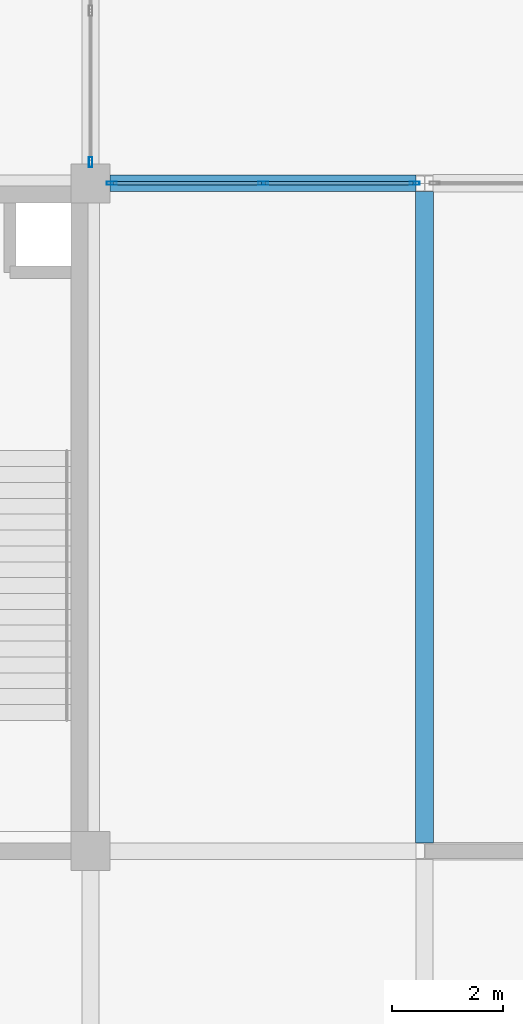
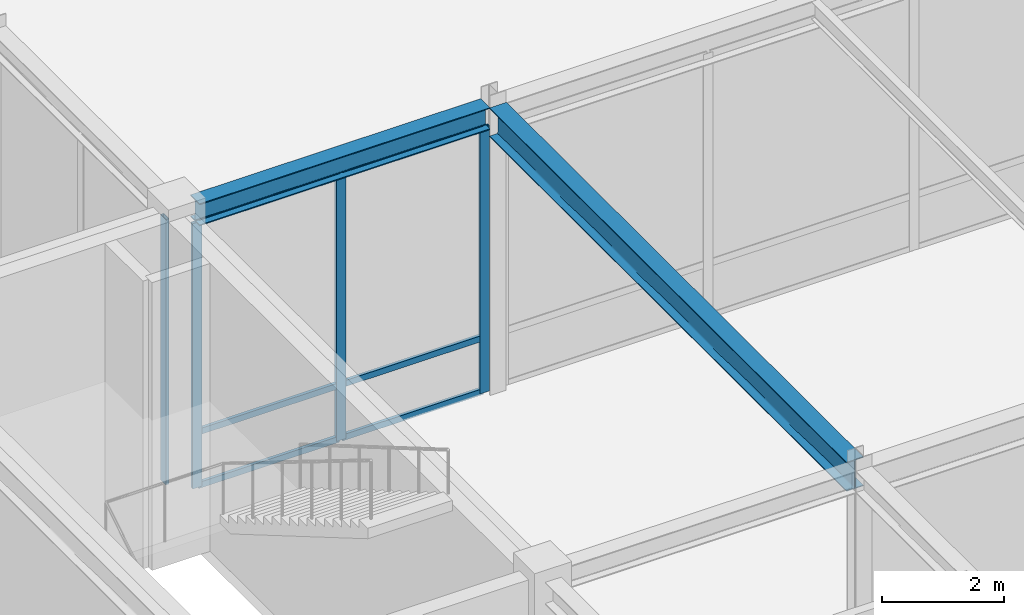
# One storey, part 29 of 108: 10 members, 2 beams, 2 elements without a shape of their own.
"""IFC4 building model written with IfcOpenShell, lengths in metres."""

from ifc_helpers import new_model, si_unit, direction, frame, origin, origin_2d, place, context, subcontext, project, spatial, hollow_rectangle, i_section, extrude, material, layer, layer_set, material_profile, profile_set, type_object, element, aggregate, save


model = new_model("IFC4")

# Units and contexts
model_context = context("Model", 3, precision=1e-05, world=origin(), true_north=direction((0.0, 1.0)))
body_context = subcontext(model_context, "Body", "Model", "MODEL_VIEW")
ifc_project = project(units=[si_unit("LENGTHUNIT", "METRE"), si_unit("AREAUNIT", "SQUARE_METRE"), si_unit("VOLUMEUNIT", "CUBIC_METRE"), si_unit("PLANEANGLEUNIT", "RADIAN"), si_unit("MASSUNIT", "GRAM", prefix="KILO")], contexts=[model_context])

# Site, building, storey
site_placement = place(None, origin())
site = spatial("IfcSite", under=ifc_project, at=site_placement, CompositionType="ELEMENT")
building_placement = place(site_placement, origin())
building = spatial("IfcBuilding", under=site, at=building_placement, Name="Zlatovratsky Civic Hall", CompositionType="ELEMENT")
storey_placement = place(building_placement, frame((0.0, 0.0, 6.0)))
storey = spatial("IfcBuildingStorey", under=building, at=storey_placement, Name="L02", CompositionType="ELEMENT", Elevation=6.0)

# Beams
ifc_material_1 = material(Name="Steel S355", Category="steel")
ifc_material_profile_1 = material_profile(ifc_material_1, i_section(OverallWidth=0.320068359375, OverallDepth=0.58203125, WebThickness=0.011962890625, FlangeThickness=0.01708984375, FilletRadius=0.02392578125, at=origin_2d()), Name="60Sh1")
ifc_profile_set_1 = profile_set([ifc_material_profile_1], Name="Steel S355")
beam_type_1 = type_object("IfcBeamType", Name="Beam_PodiumGirder_60Sh1", PredefinedType="BEAM", material=ifc_profile_set_1)
beam_1_placement = place(storey_placement, frame((24.0, 18.14990234375, 5.468994140625), z_axis=(0.0, 1.0, 0.0), x_axis=(-1.0, 0.0, 0.0)))
element("IfcBeam", 1, at=beam_1_placement, inside=storey, type_object=beam_type_1, Name="BM-2110", PredefinedType="BEAM", context=body_context, shape_type="SweptSolid", body=[
    extrude(i_section(OverallWidth=0.320068359375, OverallDepth=0.58203125, WebThickness=0.011962890625, FlangeThickness=0.01708984375, FilletRadius=0.02392578125, at=origin_2d()), origin(), (0.0, 0.0, 1.0), 11.7001953125),
])
ifc_material_profile_2 = material_profile(ifc_material_1, i_section(OverallWidth=0.300048828125, OverallDepth=0.43994140625, WebThickness=0.010986328125, FlangeThickness=0.01806640625, FilletRadius=0.02197265625, at=origin_2d()), Name="45Sh1")
ifc_profile_set_2 = profile_set([ifc_material_profile_2], Name="Steel S355")
beam_type_2 = type_object("IfcBeamType", Name="Beam_TowerLow_45Sh1", PredefinedType="BEAM", material=ifc_profile_set_2)
beam_2_placement = place(storey_placement, frame((18.35009765625, 30.0, 5.5400390625), z_axis=(1.0, 0.0, 0.0), x_axis=(0.0, 1.0, 0.0)))
element("IfcBeam", 2, at=beam_2_placement, inside=storey, type_object=beam_type_2, Name="BM-1785", PredefinedType="BEAM", context=body_context, shape_type="SweptSolid", body=[
    extrude(i_section(OverallWidth=0.300048828125, OverallDepth=0.43994140625, WebThickness=0.010986328125, FlangeThickness=0.01806640625, FilletRadius=0.02197265625, at=origin_2d()), origin(), (0.0, 0.0, 1.0), 5.5),
])

# Curtain wall, members
ifc_material_2 = material(Name="Anodised bronze aluminium", Category="aluminium")
ifc_layer = layer(ifc_material_2, 0.159912109375)
ifc_layer_set = layer_set([ifc_layer], Name="Anodised bronze aluminium")
curtain_wall_type = type_object("IfcCurtainWallType", Name="CurtainWall_Bronze_5500x5310_04", PredefinedType="NOTDEFINED", material=ifc_layer_set)
curtain_wall_1_placement = place(storey_placement, origin())
curtain_wall_1 = element("IfcCurtainWall", 3, at=curtain_wall_1_placement, inside=storey, type_object=curtain_wall_type, Name="CW-009", PredefinedType="NOTDEFINED")
ifc_material_profile_3 = material_profile(ifc_material_2, hollow_rectangle(XDim=0.06005859375, YDim=0.179931640625, WallThickness=0.00390625, at=origin_2d()), Name="ALU 60x180x4")
ifc_profile_set_3 = profile_set([ifc_material_profile_3], Name="Anodised bronze aluminium")
member_type_1 = type_object("IfcMemberType", Name="CW_Mullion_60x180", PredefinedType="MULLION", material=ifc_profile_set_3)
member_1_placement = place(storey_placement, frame((18.3798828125, 30.0, 0.0), z_axis=(0.0, 0.0, 1.0), x_axis=(0.0, 1.0, 0.0)))
member_1 = element("IfcMember", 4, at=member_1_placement, type_object=member_type_1, Name="CW-04 mullion 1", PredefinedType="MULLION", context=body_context, shape_type="SweptSolid", body=[
    extrude(hollow_rectangle(XDim=0.06005859375, YDim=0.179931640625, WallThickness=0.00390625, at=origin_2d()), origin(), (0.0, 0.0, 1.0), 5.31005859375),
])
member_2_placement = place(storey_placement, frame((21.10009765625, 30.0, 0.0), z_axis=(0.0, 0.0, 1.0), x_axis=(0.0, 1.0, 0.0)))
member_2 = element("IfcMember", 5, at=member_2_placement, type_object=member_type_1, Name="CW-04 mullion 2", PredefinedType="MULLION", context=body_context, shape_type="SweptSolid", body=[
    extrude(hollow_rectangle(XDim=0.06005859375, YDim=0.179931640625, WallThickness=0.00390625, at=origin_2d()), origin(), (0.0, 0.0, 1.0), 5.31005859375),
])
member_3_placement = place(storey_placement, frame((23.820068359375, 30.0, 0.0), z_axis=(0.0, 0.0, 1.0), x_axis=(0.0, 1.0, 0.0)))
member_3 = element("IfcMember", 6, at=member_3_placement, type_object=member_type_1, Name="CW-04 mullion 3", PredefinedType="MULLION", context=body_context, shape_type="SweptSolid", body=[
    extrude(hollow_rectangle(XDim=0.06005859375, YDim=0.179931640625, WallThickness=0.00390625, at=origin_2d()), origin(), (0.0, 0.0, 1.0), 5.31005859375),
])

# Curtain wall, member
curtain_wall_2_placement = place(storey_placement, origin())
curtain_wall_2 = element("IfcCurtainWall", 7, at=curtain_wall_2_placement, inside=storey, type_object=curtain_wall_type, Name="CW-015", PredefinedType="NOTDEFINED")
member_4_placement = place(storey_placement, frame((18.0, 30.3798828125, 0.0), z_axis=(0.0, 0.0, 1.0), x_axis=(-1.0, 0.0, 0.0)))
member_4 = element("IfcMember", 8, at=member_4_placement, type_object=member_type_1, Name="CW-04 mullion 1", PredefinedType="MULLION", context=body_context, shape_type="SweptSolid", body=[
    extrude(hollow_rectangle(XDim=0.06005859375, YDim=0.179931640625, WallThickness=0.00390625, at=origin_2d()), origin(), (0.0, 0.0, 1.0), 5.31005859375),
])
aggregate(curtain_wall_2, [member_4])

# Member
ifc_material_profile_4 = material_profile(ifc_material_2, hollow_rectangle(XDim=0.06005859375, YDim=0.1201171875, WallThickness=0.00390625, at=origin_2d()), Name="ALU 60x120x4")
ifc_profile_set_4 = profile_set([ifc_material_profile_4], Name="Anodised bronze aluminium")
member_type_2 = type_object("IfcMemberType", Name="CW_Transom_60x120", PredefinedType="USERDEFINED", material=ifc_profile_set_4)
member_5_placement = place(storey_placement, frame((18.409912109375, 30.0, 0.030029296875), z_axis=(1.0, 0.0, 0.0), x_axis=(0.0, 1.0, 0.0)))
member_5 = element("IfcMember", 9, at=member_5_placement, type_object=member_type_2, Name="CW-04 transom 1.1", ObjectType="TRANSOM", PredefinedType="USERDEFINED", context=body_context, shape_type="SweptSolid", body=[
    extrude(hollow_rectangle(XDim=0.06005859375, YDim=0.1201171875, WallThickness=0.00390625, at=origin_2d()), origin(), (0.0, 0.0, 1.0), 2.66015625),
])

member_6_placement = place(storey_placement, frame((18.409912109375, 30.0, 1.10009765625), z_axis=(1.0, 0.0, 0.0), x_axis=(0.0, 1.0, 0.0)))
member_6 = element("IfcMember", 10, at=member_6_placement, type_object=member_type_2, Name="CW-04 transom 1.2", ObjectType="TRANSOM", PredefinedType="USERDEFINED", context=body_context, shape_type="SweptSolid", body=[
    extrude(hollow_rectangle(XDim=0.06005859375, YDim=0.1201171875, WallThickness=0.00390625, at=origin_2d()), origin(), (0.0, 0.0, 1.0), 2.66015625),
])

member_7_placement = place(storey_placement, frame((18.409912109375, 30.0, 5.280029296875), z_axis=(1.0, 0.0, 0.0), x_axis=(0.0, 1.0, 0.0)))
member_7 = element("IfcMember", 11, at=member_7_placement, type_object=member_type_2, Name="CW-04 transom 1.3", ObjectType="TRANSOM", PredefinedType="USERDEFINED", context=body_context, shape_type="SweptSolid", body=[
    extrude(hollow_rectangle(XDim=0.06005859375, YDim=0.1201171875, WallThickness=0.00390625, at=origin_2d()), origin(), (0.0, 0.0, 1.0), 2.66015625),
])

member_8_placement = place(storey_placement, frame((21.1298828125, 30.0, 0.030029296875), z_axis=(1.0, 0.0, 0.0), x_axis=(0.0, 1.0, 0.0)))
member_8 = element("IfcMember", 12, at=member_8_placement, type_object=member_type_2, Name="CW-04 transom 2.1", ObjectType="TRANSOM", PredefinedType="USERDEFINED", context=body_context, shape_type="SweptSolid", body=[
    extrude(hollow_rectangle(XDim=0.06005859375, YDim=0.1201171875, WallThickness=0.00390625, at=origin_2d()), origin(), (0.0, 0.0, 1.0), 2.66015625),
])

member_9_placement = place(storey_placement, frame((21.1298828125, 30.0, 1.10009765625), z_axis=(1.0, 0.0, 0.0), x_axis=(0.0, 1.0, 0.0)))
member_9 = element("IfcMember", 13, at=member_9_placement, type_object=member_type_2, Name="CW-04 transom 2.2", ObjectType="TRANSOM", PredefinedType="USERDEFINED", context=body_context, shape_type="SweptSolid", body=[
    extrude(hollow_rectangle(XDim=0.06005859375, YDim=0.1201171875, WallThickness=0.00390625, at=origin_2d()), origin(), (0.0, 0.0, 1.0), 2.66015625),
])

member_10_placement = place(storey_placement, frame((21.1298828125, 30.0, 5.280029296875), z_axis=(1.0, 0.0, 0.0), x_axis=(0.0, 1.0, 0.0)))
member_10 = element("IfcMember", 14, at=member_10_placement, type_object=member_type_2, Name="CW-04 transom 2.3", ObjectType="TRANSOM", PredefinedType="USERDEFINED", context=body_context, shape_type="SweptSolid", body=[
    extrude(hollow_rectangle(XDim=0.06005859375, YDim=0.1201171875, WallThickness=0.00390625, at=origin_2d()), origin(), (0.0, 0.0, 1.0), 2.66015625),
])

aggregate(curtain_wall_1, [member_1, member_2, member_3, member_5, member_6, member_7, member_8, member_9, member_10])

save(model, "model.ifc")
